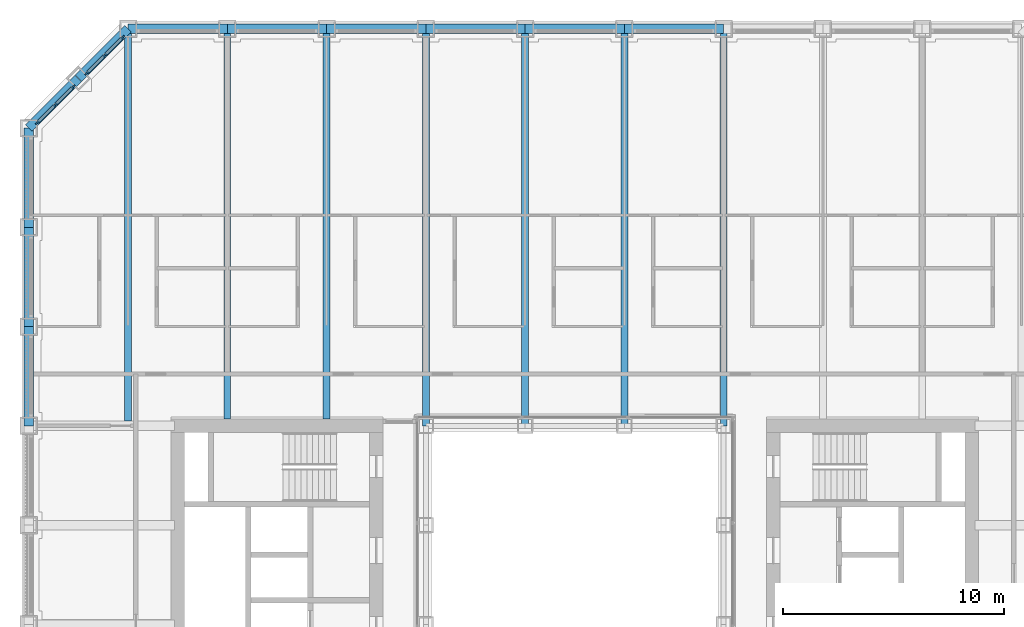
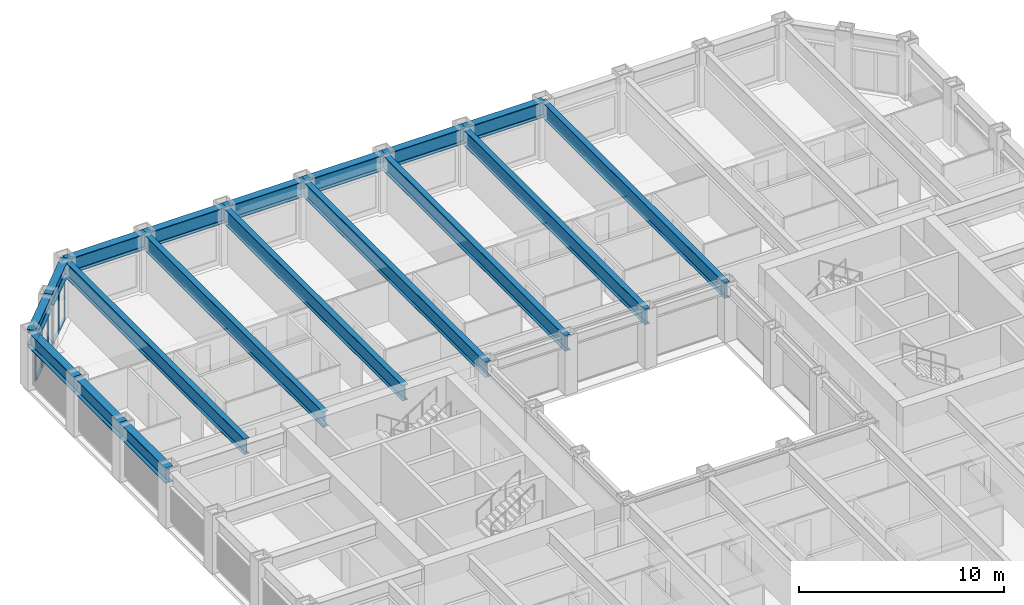
# One storey, part 6 of 21: 18 beams, 14 members, 2 elements without a shape of their own.
"""IFC4 building model written with IfcOpenShell, lengths in metres."""

from ifc_helpers import new_model, si_unit, direction, frame, origin, origin_2d, place, context, subcontext, project, spatial, rectangle, i_section, extrude, material, material_profile, profile_set, type_object, element, aggregate, save


model = new_model("IFC4")

# Units and contexts
model_context = context("Model", 3, precision=1e-05, world=origin(), true_north=direction((0.0, 1.0)))
body_context = subcontext(model_context, "Body", "Model", "MODEL_VIEW")
ifc_project = project(units=[si_unit("LENGTHUNIT", "METRE"), si_unit("AREAUNIT", "SQUARE_METRE"), si_unit("VOLUMEUNIT", "CUBIC_METRE"), si_unit("PLANEANGLEUNIT", "RADIAN"), si_unit("MASSUNIT", "GRAM", prefix="KILO")], contexts=[model_context])

# Site, building, storey
site_placement = place(None, origin())
site = spatial("IfcSite", under=ifc_project, at=site_placement, CompositionType="ELEMENT")
building_placement = place(site_placement, origin())
building = spatial("IfcBuilding", under=site, at=building_placement, Name="Msasa Ring Tower", CompositionType="ELEMENT")
storey_placement = place(building_placement, frame((0.0, 0.0, 47.5)))
storey = spatial("IfcBuildingStorey", under=building, at=storey_placement, Name="L11", CompositionType="ELEMENT", Elevation=47.5)

# Curtain wall, members
ifc_material_1 = material(Name="Aluminium curtain wall with clear glass", Category="aluminium")
curtain_wall_type = type_object("IfcCurtainWallType", Name="CW-C CHAMFER CORNER CURTAIN WALL", PredefinedType="NOTDEFINED", material=ifc_material_1)
curtain_wall_1_placement = place(storey_placement, origin())
curtain_wall_1 = element("IfcCurtainWall", 1, at=curtain_wall_1_placement, inside=storey, type_object=curtain_wall_type, Name="Chamfer corner curtain wall NW L11", PredefinedType="NOTDEFINED")
ifc_material_2 = material(Name="Aluminium mullion", Category="aluminium")
ifc_material_profile_1 = material_profile(ifc_material_2, rectangle(XDim=0.06494140625, YDim=0.179931640625, at=origin_2d()), Name="AL 65x180")
ifc_profile_set_1 = profile_set([ifc_material_profile_1], Name="Aluminium mullion")
member_type_1 = type_object("IfcMemberType", Name="CW-C MULLION 65x180", PredefinedType="MULLION", material=ifc_profile_set_1)
member_1_placement = place(storey_placement, frame((-22.73876953125, 22.119873046875, 0.0), z_axis=(0.0, 0.0, 1.0), x_axis=(0.707106781187, -0.707106781187, 0.0)))
member_1 = element("IfcMember", 2, at=member_1_placement, type_object=member_type_1, Name="CW-C mullion 1", PredefinedType="MULLION", context=body_context, shape_type="SweptSolid", body=[
    extrude(rectangle(XDim=0.06494140625, YDim=0.179931640625, at=origin_2d()), origin(), (0.0, 0.0, 1.0), 2.37890625),
])
member_2_placement = place(storey_placement, frame((-23.55419921875, 21.30419921875, 0.0), z_axis=(0.0, 0.0, 1.0), x_axis=(0.707106781187, -0.707106781187, 0.0)))
member_2 = element("IfcMember", 3, at=member_2_placement, type_object=member_type_1, Name="CW-C mullion 2", PredefinedType="MULLION", context=body_context, shape_type="SweptSolid", body=[
    extrude(rectangle(XDim=0.06494140625, YDim=0.179931640625, at=origin_2d()), origin(), (0.0, 0.0, 1.0), 2.37890625),
])
member_3_placement = place(storey_placement, frame((-24.369873046875, 20.48876953125, 0.0), z_axis=(0.0, 0.0, 1.0), x_axis=(0.707106781187, -0.707106781187, 0.0)))
member_3 = element("IfcMember", 4, at=member_3_placement, type_object=member_type_1, Name="CW-C mullion 3", PredefinedType="MULLION", context=body_context, shape_type="SweptSolid", body=[
    extrude(rectangle(XDim=0.06494140625, YDim=0.179931640625, at=origin_2d()), origin(), (0.0, 0.0, 1.0), 2.37890625),
])

curtain_wall_2_placement = place(storey_placement, origin())
curtain_wall_2 = element("IfcCurtainWall", 5, at=curtain_wall_2_placement, inside=storey, type_object=curtain_wall_type, Name="Chamfer corner curtain wall NW L11", PredefinedType="NOTDEFINED")
member_4_placement = place(storey_placement, frame((-20.48876953125, 24.369873046875, 0.0), z_axis=(0.0, 0.0, 1.0), x_axis=(0.707106781187, -0.707106781187, 0.0)))
member_4 = element("IfcMember", 6, at=member_4_placement, type_object=member_type_1, Name="CW-C mullion 1", PredefinedType="MULLION", context=body_context, shape_type="SweptSolid", body=[
    extrude(rectangle(XDim=0.06494140625, YDim=0.179931640625, at=origin_2d()), origin(), (0.0, 0.0, 1.0), 2.37890625),
])
member_5_placement = place(storey_placement, frame((-21.30419921875, 23.55419921875, 0.0), z_axis=(0.0, 0.0, 1.0), x_axis=(0.707106781187, -0.707106781187, 0.0)))
member_5 = element("IfcMember", 7, at=member_5_placement, type_object=member_type_1, Name="CW-C mullion 2", PredefinedType="MULLION", context=body_context, shape_type="SweptSolid", body=[
    extrude(rectangle(XDim=0.06494140625, YDim=0.179931640625, at=origin_2d()), origin(), (0.0, 0.0, 1.0), 2.37890625),
])
member_6_placement = place(storey_placement, frame((-22.119873046875, 22.73876953125, 0.0), z_axis=(0.0, 0.0, 1.0), x_axis=(0.707106781187, -0.707106781187, 0.0)))
member_6 = element("IfcMember", 8, at=member_6_placement, type_object=member_type_1, Name="CW-C mullion 3", PredefinedType="MULLION", context=body_context, shape_type="SweptSolid", body=[
    extrude(rectangle(XDim=0.06494140625, YDim=0.179931640625, at=origin_2d()), origin(), (0.0, 0.0, 1.0), 2.37890625),
])

# Member
ifc_material_3 = material(Name="Aluminium transom", Category="aluminium")
ifc_material_profile_2 = material_profile(ifc_material_3, rectangle(XDim=0.139892578125, YDim=0.06494140625, at=origin_2d()), Name="AL 65x140")
ifc_profile_set_2 = profile_set([ifc_material_profile_2], Name="Aluminium transom")
member_type_2 = type_object("IfcMemberType", Name="CW-C TRANSOM 65x140", PredefinedType="USERDEFINED", material=ifc_profile_set_2)
member_7_placement = place(storey_placement, frame((-22.76171875, 22.096923828125, 0.032470703125), z_axis=(-0.707106781187, -0.707106781187, 0.0), x_axis=(0.707106781187, -0.707106781187, 0.0)))
member_7 = element("IfcMember", 9, at=member_7_placement, type_object=member_type_2, Name="CW-C transom 1.1", ObjectType="TRANSOM", PredefinedType="USERDEFINED", context=body_context, shape_type="SweptSolid", body=[
    extrude(rectangle(XDim=0.139892578125, YDim=0.06494140625, at=origin_2d()), origin(), (0.0, 0.0, 1.0), 1.08837890625),
])

member_8_placement = place(storey_placement, frame((-22.76171875, 22.096923828125, 2.346435546875), z_axis=(-0.707106781187, -0.707106781187, 0.0), x_axis=(0.707106781187, -0.707106781187, 0.0)))
member_8 = element("IfcMember", 10, at=member_8_placement, type_object=member_type_2, Name="CW-C transom 1.2", ObjectType="TRANSOM", PredefinedType="USERDEFINED", context=body_context, shape_type="SweptSolid", body=[
    extrude(rectangle(XDim=0.139892578125, YDim=0.06494140625, at=origin_2d()), origin(), (0.0, 0.0, 1.0), 1.08837890625),
])

member_9_placement = place(storey_placement, frame((-23.577392578125, 21.28125, 0.032470703125), z_axis=(-0.707106781187, -0.707106781187, 0.0), x_axis=(0.707106781187, -0.707106781187, 0.0)))
member_9 = element("IfcMember", 11, at=member_9_placement, type_object=member_type_2, Name="CW-C transom 2.1", ObjectType="TRANSOM", PredefinedType="USERDEFINED", context=body_context, shape_type="SweptSolid", body=[
    extrude(rectangle(XDim=0.139892578125, YDim=0.06494140625, at=origin_2d()), origin(), (0.0, 0.0, 1.0), 1.08837890625),
])

member_10_placement = place(storey_placement, frame((-23.577392578125, 21.28125, 2.346435546875), z_axis=(-0.707106781187, -0.707106781187, 0.0), x_axis=(0.707106781187, -0.707106781187, 0.0)))
member_10 = element("IfcMember", 12, at=member_10_placement, type_object=member_type_2, Name="CW-C transom 2.2", ObjectType="TRANSOM", PredefinedType="USERDEFINED", context=body_context, shape_type="SweptSolid", body=[
    extrude(rectangle(XDim=0.139892578125, YDim=0.06494140625, at=origin_2d()), origin(), (0.0, 0.0, 1.0), 1.08837890625),
])

aggregate(curtain_wall_1, [member_1, member_2, member_3, member_7, member_8, member_9, member_10])

member_11_placement = place(storey_placement, frame((-20.51171875, 24.346923828125, 0.032470703125), z_axis=(-0.707106781187, -0.707106781187, 0.0), x_axis=(0.707106781187, -0.707106781187, 0.0)))
member_11 = element("IfcMember", 13, at=member_11_placement, type_object=member_type_2, Name="CW-C transom 1.1", ObjectType="TRANSOM", PredefinedType="USERDEFINED", context=body_context, shape_type="SweptSolid", body=[
    extrude(rectangle(XDim=0.139892578125, YDim=0.06494140625, at=origin_2d()), origin(), (0.0, 0.0, 1.0), 1.08837890625),
])

member_12_placement = place(storey_placement, frame((-20.51171875, 24.346923828125, 2.346435546875), z_axis=(-0.707106781187, -0.707106781187, 0.0), x_axis=(0.707106781187, -0.707106781187, 0.0)))
member_12 = element("IfcMember", 14, at=member_12_placement, type_object=member_type_2, Name="CW-C transom 1.2", ObjectType="TRANSOM", PredefinedType="USERDEFINED", context=body_context, shape_type="SweptSolid", body=[
    extrude(rectangle(XDim=0.139892578125, YDim=0.06494140625, at=origin_2d()), origin(), (0.0, 0.0, 1.0), 1.08837890625),
])

member_13_placement = place(storey_placement, frame((-21.327392578125, 23.53125, 0.032470703125), z_axis=(-0.707106781187, -0.707106781187, 0.0), x_axis=(0.707106781187, -0.707106781187, 0.0)))
member_13 = element("IfcMember", 15, at=member_13_placement, type_object=member_type_2, Name="CW-C transom 2.1", ObjectType="TRANSOM", PredefinedType="USERDEFINED", context=body_context, shape_type="SweptSolid", body=[
    extrude(rectangle(XDim=0.139892578125, YDim=0.06494140625, at=origin_2d()), origin(), (0.0, 0.0, 1.0), 1.08837890625),
])

member_14_placement = place(storey_placement, frame((-21.327392578125, 23.53125, 2.346435546875), z_axis=(-0.707106781187, -0.707106781187, 0.0), x_axis=(0.707106781187, -0.707106781187, 0.0)))
member_14 = element("IfcMember", 16, at=member_14_placement, type_object=member_type_2, Name="CW-C transom 2.2", ObjectType="TRANSOM", PredefinedType="USERDEFINED", context=body_context, shape_type="SweptSolid", body=[
    extrude(rectangle(XDim=0.139892578125, YDim=0.06494140625, at=origin_2d()), origin(), (0.0, 0.0, 1.0), 1.08837890625),
])

aggregate(curtain_wall_2, [member_4, member_5, member_6, member_11, member_12, member_13, member_14])

# Beams
ifc_material_4 = material(Name="Steel S355", Category="steel")
ifc_material_profile_3 = material_profile(ifc_material_4, i_section(OverallWidth=0.3076171875, OverallDepth=0.926513671875, WebThickness=0.01953125, FlangeThickness=0.031982421875, FilletRadius=0.01904296875, at=origin_2d()), Name="UB 914x305x289")
ifc_profile_set_3 = profile_set([ifc_material_profile_3], Name="Steel S355")
beam_type_1 = type_object("IfcBeamType", Name="FB3 UB 914x305x289", PredefinedType="BEAM", material=ifc_profile_set_3)
beam_placement = place(storey_placement, frame((-20.25, 24.75, 2.836669921875), z_axis=(0.0, -1.0, 0.0), x_axis=(1.0, 0.0, 0.0)))
element("IfcBeam", 17, at=beam_placement, inside=storey, type_object=beam_type_1, Name="Floor beam N-20.25 under L12", PredefinedType="BEAM", context=body_context, shape_type="SweptSolid", body=[
    extrude(i_section(OverallWidth=0.3076171875, OverallDepth=0.926513671875, WebThickness=0.01953125, FlangeThickness=0.031982421875, FilletRadius=0.01904296875, at=origin_2d()), origin(), (0.0, 0.0, 1.0), 17.789794921875),
])
for number, where, z_axis, x_axis, name in (
    (18, (-15.75, 24.75, 2.836669921875), (0.0, -1.0, 0.0), (1.0, 0.0, 0.0), "Floor beam N-15.75 under L12"),
    (19, (-11.25, 24.75, 2.836669921875), (0.0, -1.0, 0.0), (1.0, 0.0, 0.0), "Floor beam N-11.25 under L12"),
):
    element("IfcBeam", number, at=place(storey_placement, frame(where, z_axis=z_axis, x_axis=x_axis)), inside=storey, type_object=beam_type_1, Name=name, PredefinedType="BEAM", context=body_context, shape_type="SweptSolid", body=[
        extrude(i_section(OverallWidth=0.3076171875, OverallDepth=0.926513671875, WebThickness=0.01953125, FlangeThickness=0.031982421875, FilletRadius=0.01904296875, at=origin_2d()), origin(), (0.0, 0.0, 1.0), 17.699951171875),
    ])
for number, where, z_axis, x_axis, name in (
    (20, (-6.75, 24.75, 2.836669921875), (0.0, -1.0, 0.0), (1.0, 0.0, 0.0), "Floor beam N-6.75 under L12"),
    (21, (-2.25, 24.75, 2.836669921875), (0.0, -1.0, 0.0), (1.0, 0.0, 0.0), "Floor beam N-2.25 under L12"),
    (22, (2.25, 24.75, 2.836669921875), (0.0, -1.0, 0.0), (1.0, 0.0, 0.0), "Floor beam N+2.25 under L12"),
    (23, (6.75, 24.75, 2.836669921875), (0.0, -1.0, 0.0), (1.0, 0.0, 0.0), "Floor beam N+6.75 under L12"),
):
    element("IfcBeam", number, at=place(storey_placement, frame(where, z_axis=z_axis, x_axis=x_axis)), inside=storey, type_object=beam_type_1, Name=name, PredefinedType="BEAM", context=body_context, shape_type="SweptSolid", body=[
        extrude(i_section(OverallWidth=0.3076171875, OverallDepth=0.926513671875, WebThickness=0.01953125, FlangeThickness=0.031982421875, FilletRadius=0.01904296875, at=origin_2d()), origin(), (0.0, 0.0, 1.0), 18.0),
    ])
ifc_material_5 = material(Name="Steel S355", Category="steel")
ifc_material_profile_4 = material_profile(ifc_material_5, i_section(OverallWidth=0.42041015625, OverallDepth=0.9208984375, WebThickness=0.021484375, FlangeThickness=0.03662109375, FilletRadius=0.024169921875, at=origin_2d()), Name="UB 914x419x388")
ifc_profile_set_4 = profile_set([ifc_material_profile_4], Name="Steel S355")
beam_type_2 = type_object("IfcBeamType", Name="SB1 UB 914x419x388", PredefinedType="SPANDREL", material=ifc_profile_set_4)
for number, where, z_axis, x_axis, name in (
    (24, (6.75, 24.75, 2.839599609375), (-1.0, 0.0, 0.0), (0.0, -1.0, 0.0), "Spandrel N+6.75 to N+2.25 under L12"),
    (25, (2.25, 24.75, 2.839599609375), (-1.0, 0.0, 0.0), (0.0, -1.0, 0.0), "Spandrel N+2.25 to N-2.25 under L12"),
    (26, (-2.25, 24.75, 2.839599609375), (-1.0, 0.0, 0.0), (0.0, -1.0, 0.0), "Spandrel N-2.25 to N-6.75 under L12"),
    (27, (-6.75, 24.75, 2.839599609375), (-1.0, 0.0, 0.0), (0.0, -1.0, 0.0), "Spandrel N-6.75 to N-11.25 under L12"),
    (28, (-11.25, 24.75, 2.839599609375), (-1.0, 0.0, 0.0), (0.0, -1.0, 0.0), "Spandrel N-11.25 to N-15.75 under L12"),
    (29, (-15.75, 24.75, 2.839599609375), (-1.0, 0.0, 0.0), (0.0, -1.0, 0.0), "Spandrel N-15.75 to N-20.25 under L12"),
):
    element("IfcBeam", number, at=place(storey_placement, frame(where, z_axis=z_axis, x_axis=x_axis)), inside=storey, type_object=beam_type_2, Name=name, PredefinedType="SPANDREL", context=body_context, shape_type="SweptSolid", body=[
        extrude(i_section(OverallWidth=0.42041015625, OverallDepth=0.9208984375, WebThickness=0.021484375, FlangeThickness=0.03662109375, FilletRadius=0.024169921875, at=origin_2d()), origin(), (0.0, 0.0, 1.0), 4.5),
    ])
for number, where, z_axis, x_axis, name in (
    (30, (-20.25, 24.75, 2.839599609375), (-0.707106781187, -0.707106781187, 0.0), (0.707106781187, -0.707106781187, 0.0), "Spandrel N-20.25 to NW under L12"),
    (31, (-22.5, 22.5, 2.839599609375), (-0.707106781187, -0.707106781187, 0.0), (0.707106781187, -0.707106781187, 0.0), "Spandrel NW to W+20.25 under L12"),
):
    element("IfcBeam", number, at=place(storey_placement, frame(where, z_axis=z_axis, x_axis=x_axis)), inside=storey, type_object=beam_type_2, Name=name, PredefinedType="SPANDREL", context=body_context, shape_type="SweptSolid", body=[
        extrude(i_section(OverallWidth=0.42041015625, OverallDepth=0.9208984375, WebThickness=0.021484375, FlangeThickness=0.03662109375, FilletRadius=0.024169921875, at=origin_2d()), origin(), (0.0, 0.0, 1.0), 3.181884765625),
    ])
for number, where, z_axis, x_axis, name in (
    (32, (-24.75, 20.25, 2.839599609375), (0.0, -1.0, 0.0), (1.0, 0.0, 0.0), "Spandrel W+20.25 to W+15.75 under L12"),
    (33, (-24.75, 15.75, 2.839599609375), (0.0, -1.0, 0.0), (1.0, 0.0, 0.0), "Spandrel W+15.75 to W+11.25 under L12"),
    (34, (-24.75, 11.25, 2.839599609375), (0.0, -1.0, 0.0), (1.0, 0.0, 0.0), "Spandrel W+11.25 to W+6.75 under L12"),
):
    element("IfcBeam", number, at=place(storey_placement, frame(where, z_axis=z_axis, x_axis=x_axis)), inside=storey, type_object=beam_type_2, Name=name, PredefinedType="SPANDREL", context=body_context, shape_type="SweptSolid", body=[
        extrude(i_section(OverallWidth=0.42041015625, OverallDepth=0.9208984375, WebThickness=0.021484375, FlangeThickness=0.03662109375, FilletRadius=0.024169921875, at=origin_2d()), origin(), (0.0, 0.0, 1.0), 4.5),
    ])

save(model, "model.ifc")
